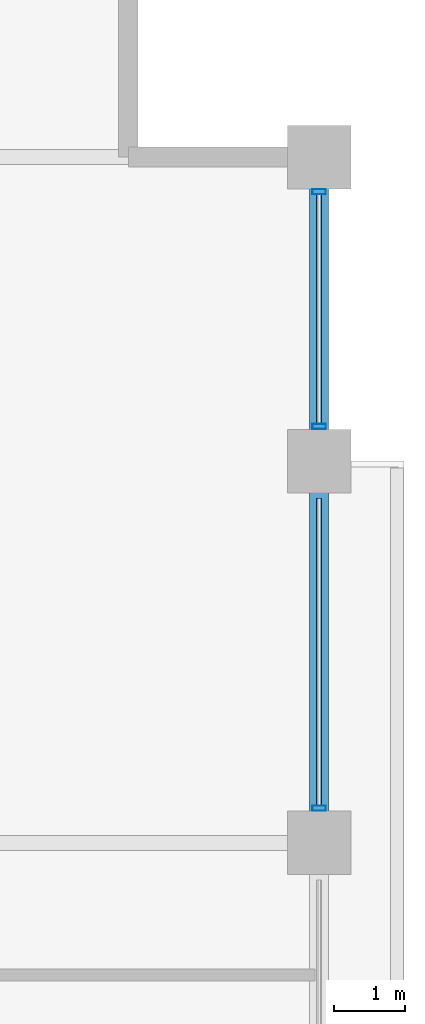
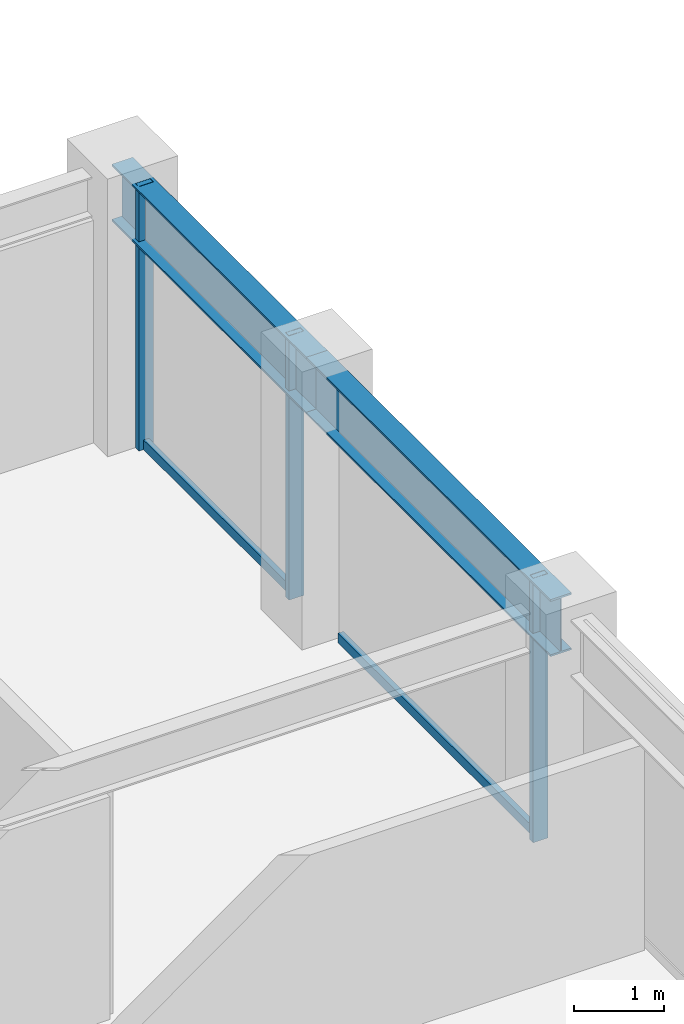
# One storey, part 24 of 31: 5 members, 2 beams, 1 element without a shape of its own.
"""IFC4 building model written with IfcOpenShell, lengths in metres."""

from ifc_helpers import new_model, si_unit, direction, frame, origin, origin_2d, place, context, subcontext, project, spatial, hollow_rectangle, i_section, extrude, material, layer, layer_set, material_profile, profile_set, type_object, element, aggregate, save


model = new_model("IFC4")

# Units and contexts
model_context = context("Model", 3, precision=1e-05, world=origin(), true_north=direction((0.0, 1.0)))
body_context = subcontext(model_context, "Body", "Model", "MODEL_VIEW")
ifc_project = project(units=[si_unit("LENGTHUNIT", "METRE"), si_unit("AREAUNIT", "SQUARE_METRE"), si_unit("VOLUMEUNIT", "CUBIC_METRE"), si_unit("PLANEANGLEUNIT", "RADIAN"), si_unit("MASSUNIT", "GRAM", prefix="KILO")], contexts=[model_context])

# Site, building, storey
site_placement = place(None, origin())
site = spatial("IfcSite", under=ifc_project, at=site_placement, CompositionType="ELEMENT")
building_placement = place(site_placement, origin())
building = spatial("IfcBuilding", under=site, at=building_placement, Name="Surkhivell Harbour Commons", CompositionType="ELEMENT")
storey_placement = place(building_placement, frame((0.0, 0.0, 193.5)))
storey = spatial("IfcBuildingStorey", under=building, at=storey_placement, Name="L50", CompositionType="ELEMENT", Elevation=193.5)

# Beams
ifc_material_1 = material(Name="Steel S355", Category="steel")
ifc_material_profile_1 = material_profile(ifc_material_1, i_section(OverallWidth=0.26806640625, OverallDepth=0.77001953125, WebThickness=0.015625, FlangeThickness=0.025390625, at=origin_2d()), Name="UB762x267x197")
ifc_profile_set_1 = profile_set([ifc_material_profile_1], Name="Steel S355")
beam_type = type_object("IfcBeamType", Name="BM-SPN-762", PredefinedType="SPANDREL", material=ifc_profile_set_1)
beam_1_placement = place(storey_placement, frame((21.60009765625, 10.800048828125, 3.18505859375), z_axis=(0.0, 1.0, 0.0), x_axis=(-1.0, 0.0, 0.0)))
element("IfcBeam", 1, at=beam_1_placement, inside=storey, type_object=beam_type, Name="L50 Tube Spandrel (21.6,10.8)", PredefinedType="SPANDREL", context=body_context, shape_type="SweptSolid", body=[
    extrude(i_section(OverallWidth=0.26806640625, OverallDepth=0.77001953125, WebThickness=0.015625, FlangeThickness=0.025390625, at=origin_2d()), origin(), (0.0, 0.0, 1.0), 5.39990234375),
])
beam_2_placement = place(storey_placement, frame((21.60009765625, 16.199951171875, 3.18505859375), z_axis=(0.0, 1.0, 0.0), x_axis=(-1.0, 0.0, 0.0)))
element("IfcBeam", 2, at=beam_2_placement, inside=storey, type_object=beam_type, Name="L50 Tube Spandrel (21.6,16.2)", PredefinedType="SPANDREL", context=body_context, shape_type="SweptSolid", body=[
    extrude(i_section(OverallWidth=0.26806640625, OverallDepth=0.77001953125, WebThickness=0.015625, FlangeThickness=0.025390625, at=origin_2d()), origin(), (0.0, 0.0, 1.0), 4.300048828125),
])

# Curtain wall, members
ifc_material_2 = material(Name="Anodised pale-metal aluminium and insulated glazing", Category="aluminium")
ifc_layer = layer(ifc_material_2, 0.18994140625)
ifc_layer_set = layer_set([ifc_layer], Name="Anodised pale-metal aluminium and insulated glazing")
curtain_wall_type = type_object("IfcCurtainWallType", Name="CW-SYS-Z3", PredefinedType="NOTDEFINED", material=ifc_layer_set)
curtain_wall_placement = place(storey_placement, origin())
curtain_wall = element("IfcCurtainWall", 3, at=curtain_wall_placement, inside=storey, type_object=curtain_wall_type, Name="L50 Curtain Wall CW-L50-E02", PredefinedType="NOTDEFINED")
ifc_material_3 = material(Name="Anodised pale-metal aluminium alloy 6063-T6", Category="aluminium")
ifc_material_profile_2 = material_profile(ifc_material_3, hollow_rectangle(XDim=0.074951171875, YDim=0.18994140625, WallThickness=0.00390625, at=origin_2d()), Name="ALU-MULL-75x190")
ifc_profile_set_2 = profile_set([ifc_material_profile_2], Name="Anodised pale-metal aluminium alloy 6063-T6")
member_type_1 = type_object("IfcMemberType", Name="CWM-190", PredefinedType="MULLION", material=ifc_profile_set_2)
member_1_placement = place(storey_placement, frame((21.60009765625, 11.28955078125, 0.0), z_axis=(0.0, 0.0, 1.0), x_axis=(0.0, 1.0, 0.0)))
member_1 = element("IfcMember", 4, at=member_1_placement, type_object=member_type_1, Name="CW-Z3 mullion 4", PredefinedType="MULLION", context=body_context, shape_type="SweptSolid", body=[
    extrude(hollow_rectangle(XDim=0.074951171875, YDim=0.18994140625, WallThickness=0.00390625, at=origin_2d()), origin(), (0.0, 0.0, 1.0), 3.570068359375),
])
member_2_placement = place(storey_placement, frame((21.60009765625, 16.689453125, 0.0), z_axis=(0.0, 0.0, 1.0), x_axis=(0.0, 1.0, 0.0)))
member_2 = element("IfcMember", 5, at=member_2_placement, type_object=member_type_1, Name="CW-Z3 mullion 5", PredefinedType="MULLION", context=body_context, shape_type="SweptSolid", body=[
    extrude(hollow_rectangle(XDim=0.074951171875, YDim=0.18994140625, WallThickness=0.00390625, at=origin_2d()), origin(), (0.0, 0.0, 1.0), 3.570068359375),
])
member_3_placement = place(storey_placement, frame((21.60009765625, 20.010498046875, 0.0), z_axis=(0.0, 0.0, 1.0), x_axis=(0.0, 1.0, 0.0)))
member_3 = element("IfcMember", 6, at=member_3_placement, type_object=member_type_1, Name="CW-Z3 mullion 6", PredefinedType="MULLION", context=body_context, shape_type="SweptSolid", body=[
    extrude(hollow_rectangle(XDim=0.074951171875, YDim=0.18994140625, WallThickness=0.00390625, at=origin_2d()), origin(), (0.0, 0.0, 1.0), 3.570068359375),
])
ifc_material_4 = material(Name="Champagne anodised aluminium alloy 6063-T6", Category="aluminium")
ifc_material_profile_3 = material_profile(ifc_material_4, hollow_rectangle(XDim=0.070068359375, YDim=0.1298828125, WallThickness=0.00341796875, at=origin_2d()), Name="ALU-TRAN-70x130")
ifc_profile_set_3 = profile_set([ifc_material_profile_3], Name="Champagne anodised aluminium alloy 6063-T6")
member_type_2 = type_object("IfcMemberType", Name="CWT-130", PredefinedType="USERDEFINED", material=ifc_profile_set_3)
member_4_placement = place(storey_placement, frame((21.60009765625, 11.326904296875, 0.06494140625), z_axis=(0.0, 1.0, 0.0), x_axis=(-1.0, 0.0, 0.0)))
member_4 = element("IfcMember", 7, at=member_4_placement, type_object=member_type_2, Name="CW-Z3 transom 4.1", ObjectType="TRANSOM", PredefinedType="USERDEFINED", context=body_context, shape_type="SweptSolid", body=[
    extrude(hollow_rectangle(XDim=0.070068359375, YDim=0.1298828125, WallThickness=0.00341796875, at=origin_2d()), origin(), (0.0, 0.0, 1.0), 4.34619140625),
])
member_5_placement = place(storey_placement, frame((21.60009765625, 16.72705078125, 0.06494140625), z_axis=(0.0, 1.0, 0.0), x_axis=(-1.0, 0.0, 0.0)))
member_5 = element("IfcMember", 8, at=member_5_placement, type_object=member_type_2, Name="CW-Z3 transom 5.1", ObjectType="TRANSOM", PredefinedType="USERDEFINED", context=body_context, shape_type="SweptSolid", body=[
    extrude(hollow_rectangle(XDim=0.070068359375, YDim=0.1298828125, WallThickness=0.00341796875, at=origin_2d()), origin(), (0.0, 0.0, 1.0), 3.245849609375),
])
aggregate(curtain_wall, [member_1, member_4, member_2, member_3, member_5])

save(model, "model.ifc")
